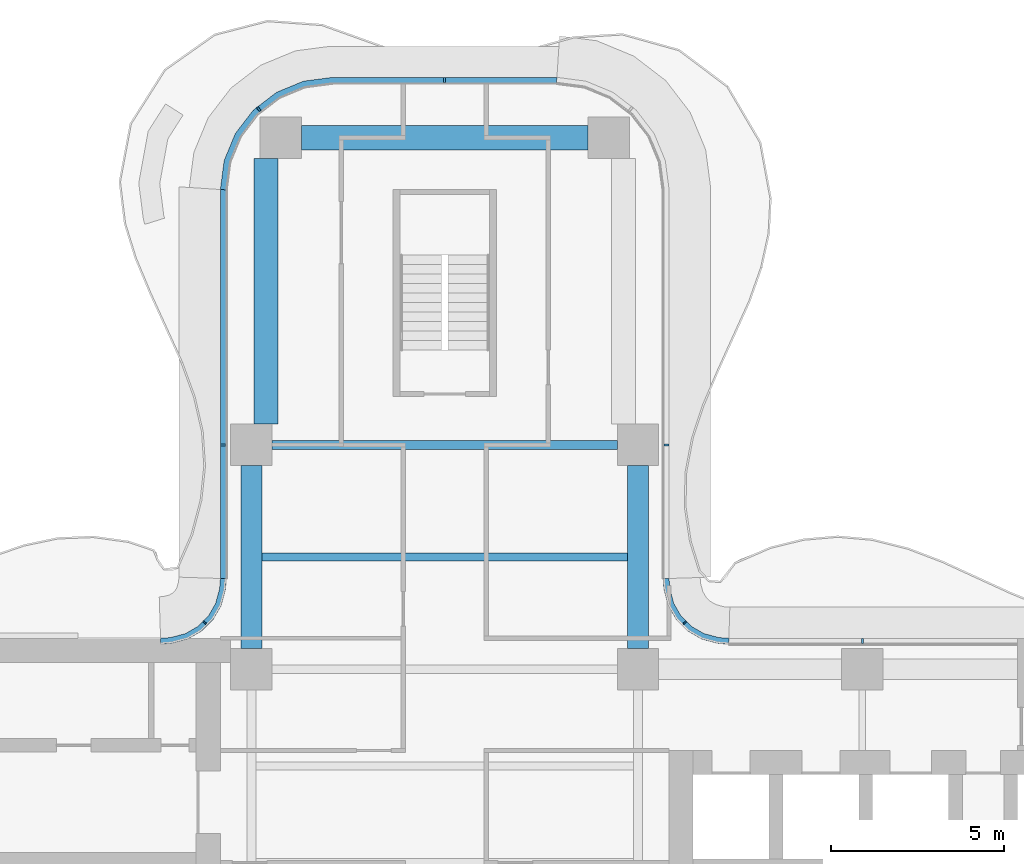
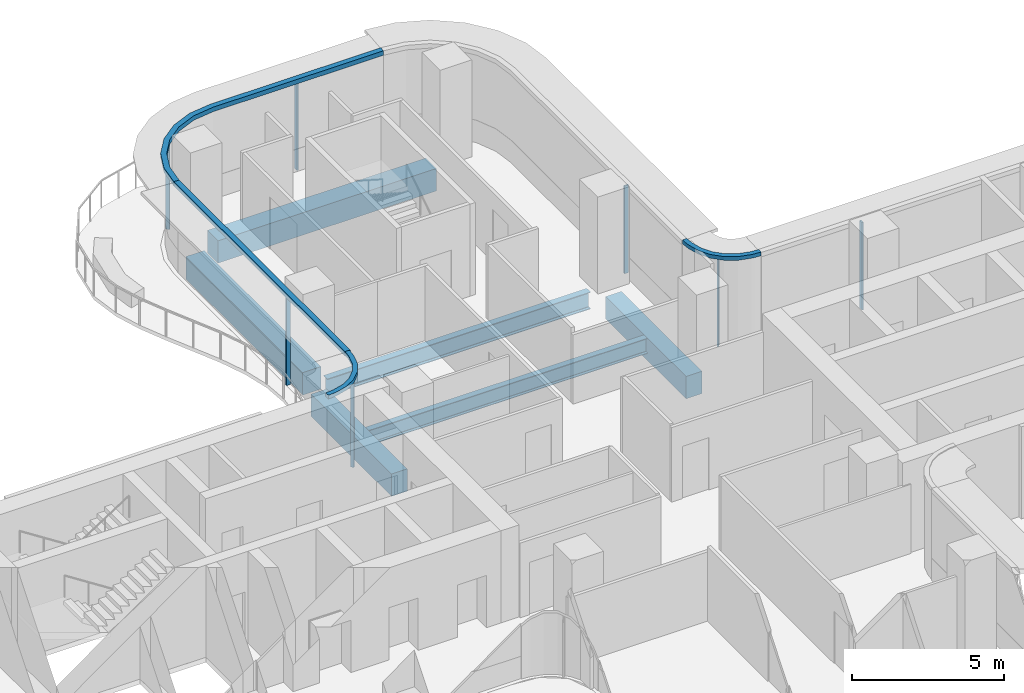
# One storey, part 7 of 18: 11 members, 6 beams, 6 elements without a shape of their own.
"""IFC4 building model written with IfcOpenShell, lengths in metres."""

from ifc_helpers import new_model, si_unit, direction, frame, origin, origin_2d, place, context, subcontext, project, spatial, polyline, rectangle, i_section, outline, extrude, source, transform, mapped, material, layer, layer_set, material_profile, profile_set, type_object, element, aggregate, save


model = new_model("IFC4")

# Units and contexts
model_context = context("Model", 3, precision=1e-05, world=origin(), true_north=direction((0.0, 1.0)))
body_context = subcontext(model_context, "Body", "Model", "MODEL_VIEW")
ifc_project = project(units=[si_unit("LENGTHUNIT", "METRE"), si_unit("AREAUNIT", "SQUARE_METRE"), si_unit("VOLUMEUNIT", "CUBIC_METRE"), si_unit("PLANEANGLEUNIT", "RADIAN"), si_unit("MASSUNIT", "GRAM", prefix="KILO")], contexts=[model_context])

# Site, building, storey
site_placement = place(None, origin())
site = spatial("IfcSite", under=ifc_project, at=site_placement, CompositionType="ELEMENT")
building_placement = place(site_placement, origin())
building = spatial("IfcBuilding", under=site, at=building_placement, Name="Trellis Farm Tower", CompositionType="ELEMENT")
storey_placement = place(building_placement, frame((0.0, 0.0, 204.89990234375)))
storey = spatial("IfcBuildingStorey", under=building, at=storey_placement, Name="L45", CompositionType="ELEMENT", Elevation=204.89990234375)

# Beams
ifc_material_1 = material(Name="Concrete C60/75", Category="concrete")
ifc_material_profile_1 = material_profile(ifc_material_1, rectangle(XDim=0.60009765625, YDim=0.89990234375, at=origin_2d()), Name="RC spandrel beam 600x900 C60/75")
ifc_profile_set_1 = profile_set([ifc_material_profile_1], Name="Concrete C60/75")
beam_type_1 = type_object("IfcBeamType", Name="RC spandrel beam 600x900 C60/75", PredefinedType="SPANDREL", material=ifc_profile_set_1)
shared_shape_1 = source(origin(), body_context, "Body", "SweptSolid", [
    extrude(rectangle(XDim=0.60009765625, YDim=0.89990234375, at=origin_2d()), origin(), (0.0, 0.0, 1.0), 5.300048828125),
])
for number, where, z_axis, x_axis, name in (
    (1, (-5.60009765625, 6.199951171875, -0.64990234375), (0.0, 1.0, 0.0), (-1.0, 0.0, 0.0), "Girder"),
    (2, (5.60009765625, 6.199951171875, -0.64990234375), (0.0, 1.0, 0.0), (-1.0, 0.0, 0.0), "Girder"),
):
    element("IfcBeam", number, at=place(storey_placement, frame(where, z_axis=z_axis, x_axis=x_axis)), inside=storey, type_object=beam_type_1, Name=name, PredefinedType="SPANDREL", context=body_context, shape_type="MappedRepresentation", body=[
        mapped(shared_shape_1, transform((0.0, 0.0, 0.0))),
    ])
ifc_material_2 = material(Name="Steel S355", Category="steel")
ifc_material_profile_2 = material_profile(ifc_material_2, i_section(OverallWidth=0.253662109375, OverallDepth=0.68359375, WebThickness=0.012451171875, FlangeThickness=0.021728515625, FilletRadius=0.01513671875, at=origin_2d()), Name="UB 686x254x140")
ifc_profile_set_2 = profile_set([ifc_material_profile_2], Name="Steel S355")
beam_type_2 = type_object("IfcBeamType", Name="UB 686x254x140", PredefinedType="BEAM", material=ifc_profile_set_2)
shared_shape_2 = source(origin(), body_context, "Body", "SweptSolid", [
    extrude(i_section(OverallWidth=0.253662109375, OverallDepth=0.68359375, WebThickness=0.012451171875, FlangeThickness=0.021728515625, FilletRadius=0.01513671875, at=origin_2d()), origin(), (0.0, 0.0, 1.0), 10.0),
])
beam_1_placement = place(storey_placement, frame((-5.0, 12.10009765625, -0.54150390625), z_axis=(1.0, 0.0, 0.0), x_axis=(0.0, 1.0, 0.0)))
element("IfcBeam", 3, at=beam_1_placement, inside=storey, type_object=beam_type_2, Name="Girder", PredefinedType="BEAM", context=body_context, shape_type="MappedRepresentation", body=[
    mapped(shared_shape_2, transform((0.0, 0.0, 0.0))),
])
ifc_material_profile_3 = material_profile(ifc_material_1, rectangle(XDim=0.699951171875, YDim=0.89990234375, at=origin_2d()), Name="RC spandrel beam 700x900 C60/75")
ifc_profile_set_3 = profile_set([ifc_material_profile_3], Name="Concrete C60/75")
beam_type_3 = type_object("IfcBeamType", Name="RC spandrel beam 700x900 C60/75", PredefinedType="SPANDREL", material=ifc_profile_set_3)
shared_shape_3 = source(origin(), body_context, "Body", "SweptSolid", [
    extrude(rectangle(XDim=0.699951171875, YDim=0.89990234375, at=origin_2d()), origin(), (0.0, 0.0, 1.0), 8.2998046875),
])
beam_2_placement = place(storey_placement, frame((-4.14990234375, 21.0, -0.64990234375), z_axis=(1.0, 0.0, 0.0), x_axis=(0.0, 1.0, 0.0)))
element("IfcBeam", 4, at=beam_2_placement, inside=storey, type_object=beam_type_3, Name="Girder", PredefinedType="SPANDREL", context=body_context, shape_type="MappedRepresentation", body=[
    mapped(shared_shape_3, transform((0.0, 0.0, 0.0))),
])
ifc_material_profile_4 = material_profile(ifc_material_2, i_section(OverallWidth=0.22900390625, OverallDepth=0.6123046875, WebThickness=0.011962890625, FlangeThickness=0.01953125, FilletRadius=0.0126953125, at=origin_2d()), Name="UB 610x229x125")
ifc_profile_set_4 = profile_set([ifc_material_profile_4], Name="Steel S355")
beam_type_4 = type_object("IfcBeamType", Name="UB 610x229x125 joist", PredefinedType="JOIST", material=ifc_profile_set_4)
shared_shape_4 = source(origin(), body_context, "Body", "SweptSolid", [
    extrude(i_section(OverallWidth=0.22900390625, OverallDepth=0.6123046875, WebThickness=0.011962890625, FlangeThickness=0.01953125, FilletRadius=0.0126953125, at=origin_2d()), origin(), (0.0, 0.0, 1.0), 10.60009765625),
])
beam_3_placement = place(storey_placement, frame((-5.300048828125, 8.85009765625, -0.506103515625), z_axis=(1.0, 0.0, 0.0), x_axis=(0.0, 1.0, 0.0)))
element("IfcBeam", 5, at=beam_3_placement, inside=storey, type_object=beam_type_4, Name="Floor beam", PredefinedType="JOIST", context=body_context, shape_type="MappedRepresentation", body=[
    mapped(shared_shape_4, transform((0.0, 0.0, 0.0))),
])
shared_shape_5 = source(origin(), body_context, "Body", "SweptSolid", [
    extrude(rectangle(XDim=0.699951171875, YDim=0.89990234375, at=origin_2d()), origin(), (0.0, 0.0, 1.0), 7.699951171875),
])
beam_4_placement = place(storey_placement, frame((-5.175048828125, 12.699951171875, -0.64990234375), z_axis=(0.0, 1.0, 0.0), x_axis=(-1.0, 0.0, 0.0)))
element("IfcBeam", 6, at=beam_4_placement, inside=storey, type_object=beam_type_3, Name="Girder", PredefinedType="SPANDREL", context=body_context, shape_type="MappedRepresentation", body=[
    mapped(shared_shape_5, transform((0.0, 0.0, 0.0))),
])

# Curtain wall, member
ifc_material_3 = material(Name="Aluminium and glass curtain wall", Category="aluminium")
ifc_layer_1 = layer(ifc_material_3, 0.18994140625)
ifc_layer_set_1 = layer_set([ifc_layer_1], Name="RIBBON CURTAIN WALL CW1")
curtain_wall_type_1 = type_object("IfcCurtainWallType", Name="RIBBON CURTAIN WALL CW1", PredefinedType="NOTDEFINED", material=ifc_layer_set_1)
placement_1 = place(storey_placement, origin())
curtain_wall_1 = element("IfcCurtainWall", 7, at=placement_1, inside=storey, type_object=curtain_wall_type_1, Name="CW1 008", PredefinedType="NOTDEFINED")
ifc_material_4 = material(Name="Aluminium extrusion 6063-T6", Category="aluminium")
ifc_material_profile_5 = material_profile(ifc_material_4, rectangle(XDim=0.06005859375, YDim=0.14990234375, at=origin_2d()), Name="MULLION 60x150")
ifc_profile_set_5 = profile_set([ifc_material_profile_5], Name="Aluminium extrusion 6063-T6")
member_type_1 = type_object("IfcMemberType", Name="CW1 MULLION 60x150", PredefinedType="MULLION", material=ifc_profile_set_5)
shared_shape_6 = source(origin(), body_context, "Body", "SweptSolid", [
    extrude(rectangle(XDim=0.06005859375, YDim=0.14990234375, at=origin_2d()), origin(), (0.0, 0.0, 1.0), 3.52001953125),
])
member_1_placement = place(storey_placement, frame((12.10009765625, 6.425048828125, 0.0), z_axis=(0.0, 0.0, 1.0), x_axis=(-1.0, 0.0, 0.0)))
member_1 = element("IfcMember", 8, at=member_1_placement, type_object=member_type_1, Name="MU1 008-02", PredefinedType="MULLION", context=body_context, shape_type="MappedRepresentation", body=[
    mapped(shared_shape_6, transform((0.0, 0.0, 0.0))),
])
aggregate(curtain_wall_1, [member_1])

curtain_wall_2 = element("IfcCurtainWall", 9, at=placement_1, inside=storey, type_object=curtain_wall_type_1, Name="CW1 009", PredefinedType="NOTDEFINED")
member_2_placement = place(storey_placement, frame((6.425048828125, 12.10009765625, 0.0), z_axis=(0.0, 0.0, 1.0), x_axis=(0.0, 1.0, 0.0)))
member_2 = element("IfcMember", 10, at=member_2_placement, type_object=member_type_1, Name="MU1 009-01", PredefinedType="MULLION", context=body_context, shape_type="MappedRepresentation", body=[
    mapped(shared_shape_6, transform((0.0, 0.0, 0.0))),
])
aggregate(curtain_wall_2, [member_2])

# Curtain wall, members
curtain_wall_3 = element("IfcCurtainWall", 11, at=placement_1, inside=storey, type_object=curtain_wall_type_1, Name="CW1 010", PredefinedType="NOTDEFINED")
member_3_placement = place(storey_placement, frame((0.0, 22.675048828125, 0.0), z_axis=(0.0, 0.0, 1.0), x_axis=(-1.0, 0.0, 0.0)))
member_3 = element("IfcMember", 12, at=member_3_placement, type_object=member_type_1, Name="MU1 010-01", PredefinedType="MULLION", context=body_context, shape_type="MappedRepresentation", body=[
    mapped(shared_shape_6, transform((0.0, 0.0, 0.0))),
])
member_4_placement = place(storey_placement, frame((-5.385498046875, 21.828369140625, 0.0), z_axis=(0.0, 0.0, 1.0), x_axis=(-0.793353340291, -0.608761429009, 0.0)))
member_4 = element("IfcMember", 13, at=member_4_placement, type_object=member_type_1, Name="MU1 010-02", PredefinedType="MULLION", context=body_context, shape_type="MappedRepresentation", body=[
    mapped(shared_shape_6, transform((0.0, 0.0, 0.0))),
])

# Curtain wall, member
curtain_wall_4 = element("IfcCurtainWall", 14, at=placement_1, inside=storey, type_object=curtain_wall_type_1, Name="CW1 011", PredefinedType="NOTDEFINED")
member_5_placement = place(storey_placement, frame((-6.425048828125, 12.10009765625, 0.0), z_axis=(0.0, 0.0, 1.0), x_axis=(0.0, -1.0, 0.0)))
member_5 = element("IfcMember", 15, at=member_5_placement, type_object=member_type_1, Name="MU1 011-01", PredefinedType="MULLION", context=body_context, shape_type="MappedRepresentation", body=[
    mapped(shared_shape_6, transform((0.0, 0.0, 0.0))),
])

ifc_layer_2 = layer(ifc_material_3, 0.166015625)
ifc_layer_set_2 = layer_set([ifc_layer_2], Name="WINTER GARDEN CURTAIN WALL CW3")
curtain_wall_type_2 = type_object("IfcCurtainWallType", Name="WINTER GARDEN CURTAIN WALL CW3", PredefinedType="NOTDEFINED", material=ifc_layer_set_2)
curtain_wall_5 = element("IfcCurtainWall", 16, at=placement_1, inside=storey, type_object=curtain_wall_type_2, Name="CW3 003", PredefinedType="NOTDEFINED")
ifc_material_profile_6 = material_profile(ifc_material_4, rectangle(XDim=0.050048828125, YDim=0.1201171875, at=origin_2d()), Name="MULLION 50x120")
ifc_profile_set_6 = profile_set([ifc_material_profile_6], Name="Aluminium extrusion 6063-T6")
member_type_2 = type_object("IfcMemberType", Name="CW3 MULLION 50x120", PredefinedType="MULLION", material=ifc_profile_set_6)
shared_shape_7 = source(origin(), body_context, "Body", "SweptSolid", [
    extrude(rectangle(XDim=0.050048828125, YDim=0.1201171875, at=origin_2d()), origin(), (0.0, 0.0, 1.0), 3.550048828125),
])
member_6_placement = place(storey_placement, frame((6.953125, 6.953125, 0.0), z_axis=(0.0, 0.0, 1.0), x_axis=(-0.707106781187, 0.707106781187, 0.0)))
member_6 = element("IfcMember", 17, at=member_6_placement, type_object=member_type_2, Name="MU3 003-01", PredefinedType="MULLION", context=body_context, shape_type="MappedRepresentation", body=[
    mapped(shared_shape_7, transform((0.0, 0.0, 0.0))),
])

curtain_wall_6 = element("IfcCurtainWall", 18, at=placement_1, inside=storey, type_object=curtain_wall_type_2, Name="CW3 004", PredefinedType="NOTDEFINED")
member_7_placement = place(storey_placement, frame((-6.953125, 6.953125, 0.0), z_axis=(0.0, 0.0, 1.0), x_axis=(-0.707106781187, -0.707106781187, 0.0)))
member_7 = element("IfcMember", 19, at=member_7_placement, type_object=member_type_2, Name="MU3 004-01", PredefinedType="MULLION", context=body_context, shape_type="MappedRepresentation", body=[
    mapped(shared_shape_7, transform((0.0, 0.0, 0.0))),
])

# Member
ifc_layer_3 = layer(ifc_material_4, 0.169921875)
ifc_layer_set_3 = layer_set([ifc_layer_3], Name="Aluminium extrusion 6063-T6")
member_type_3 = type_object("IfcMemberType", Name="CW3 TRANSOM 170x150", PredefinedType="USERDEFINED", material=ifc_layer_set_3)
shared_shape_8 = source(origin(), body_context, "Body", "SweptSolid", [
    extrude(outline(polyline([(8.2314453125, 6.5), (8.01953125, 6.513916015625), (7.91552734375, 6.527587890625), (7.508544921875, 6.63671875), (7.144287109375, 6.846923828125), (6.846923828125, 7.144287109375), (6.63671875, 7.508544921875), (6.527587890625, 7.91552734375), (6.513916015625, 8.01953125), (6.5, 8.2314453125), (6.330078125, 8.225830078125), (6.3447265625, 8.0029296875), (6.360595703125, 7.88232421875), (6.478271484375, 7.44287109375), (6.7109375, 7.0400390625), (7.0400390625, 6.7109375), (7.44287109375, 6.478271484375), (7.88232421875, 6.360595703125), (8.0029296875, 6.3447265625), (8.225830078125, 6.330078125), (8.2314453125, 6.5)])), origin(), (0.0, 0.0, 1.0), 0.150146484375),
])
placement_2 = place(storey_placement, frame((0.0, 0.0, 3.550048828125)))
member_8 = element("IfcMember", 20, at=placement_2, type_object=member_type_3, Name="TR3 003", ObjectType="TRANSOM", PredefinedType="USERDEFINED", context=body_context, shape_type="MappedRepresentation", body=[
    mapped(shared_shape_8, transform((0.0, 0.0, 0.0))),
])

aggregate(curtain_wall_5, [member_6, member_8])

shared_shape_9 = source(origin(), body_context, "Body", "SweptSolid", [
    extrude(outline(polyline([(-6.5, 8.2314453125), (-6.513916015625, 8.01953125), (-6.527587890625, 7.91552734375), (-6.63671875, 7.508544921875), (-6.846923828125, 7.144287109375), (-7.144287109375, 6.846923828125), (-7.508544921875, 6.63671875), (-7.91552734375, 6.527587890625), (-8.01953125, 6.513916015625), (-8.2314453125, 6.5), (-8.225830078125, 6.330078125), (-8.0029296875, 6.3447265625), (-7.88232421875, 6.360595703125), (-7.44287109375, 6.478271484375), (-7.0400390625, 6.7109375), (-6.7109375, 7.0400390625), (-6.478271484375, 7.44287109375), (-6.360595703125, 7.88232421875), (-6.3447265625, 8.0029296875), (-6.330078125, 8.225830078125), (-6.5, 8.2314453125)])), origin(), (0.0, 0.0, 1.0), 0.150146484375),
])
member_9 = element("IfcMember", 21, at=placement_2, type_object=member_type_3, Name="TR3 004", ObjectType="TRANSOM", PredefinedType="USERDEFINED", context=body_context, shape_type="MappedRepresentation", body=[
    mapped(shared_shape_9, transform((0.0, 0.0, 0.0))),
])

aggregate(curtain_wall_6, [member_7, member_9])

ifc_layer_4 = layer(ifc_material_4, 0.199951171875)
ifc_layer_set_4 = layer_set([ifc_layer_4], Name="Aluminium extrusion 6063-T6")
member_type_4 = type_object("IfcMemberType", Name="CW1 TRANSOM 200x180", PredefinedType="USERDEFINED", material=ifc_layer_set_4)
shared_shape_10 = source(origin(), body_context, "Body", "SweptSolid", [
    extrude(outline(polyline([(-6.5, 19.5), (-6.5, 8.2314453125), (-6.300048828125, 8.224853515625), (-6.300048828125, 19.48681640625), (-6.5, 19.5)])), origin(), (0.0, 0.0, 1.0), 0.18017578125),
])
placement_3 = place(storey_placement, frame((0.0, 0.0, 3.52001953125)))
member_10 = element("IfcMember", 22, at=placement_3, type_object=member_type_4, Name="TR1 011", ObjectType="TRANSOM", PredefinedType="USERDEFINED", context=body_context, shape_type="MappedRepresentation", body=[
    mapped(shared_shape_10, transform((0.0, 0.0, 0.0))),
])

aggregate(curtain_wall_4, [member_5, member_10])

shared_shape_11 = source(origin(), body_context, "Body", "SweptSolid", [
    extrude(outline(polyline([(3.25, 22.75), (-3.25, 22.75), (-4.091064453125, 22.63916015625), (-4.875, 22.314697265625), (-5.548095703125, 21.798095703125), (-6.064697265625, 21.125), (-6.38916015625, 20.341064453125), (-6.5, 19.5), (-6.300048828125, 19.48681640625), (-6.1943359375, 20.2890625), (-5.889892578125, 21.024169921875), (-5.405517578125, 21.655517578125), (-4.774169921875, 22.139892578125), (-4.0390625, 22.4443359375), (-3.23681640625, 22.550048828125), (3.23681640625, 22.550048828125), (3.25, 22.75)])), origin(), (0.0, 0.0, 1.0), 0.18017578125),
])
member_11 = element("IfcMember", 23, at=placement_3, type_object=member_type_4, Name="TR1 010", ObjectType="TRANSOM", PredefinedType="USERDEFINED", context=body_context, shape_type="MappedRepresentation", body=[
    mapped(shared_shape_11, transform((0.0, 0.0, 0.0))),
])

aggregate(curtain_wall_3, [member_3, member_4, member_11])

save(model, "model.ifc")
